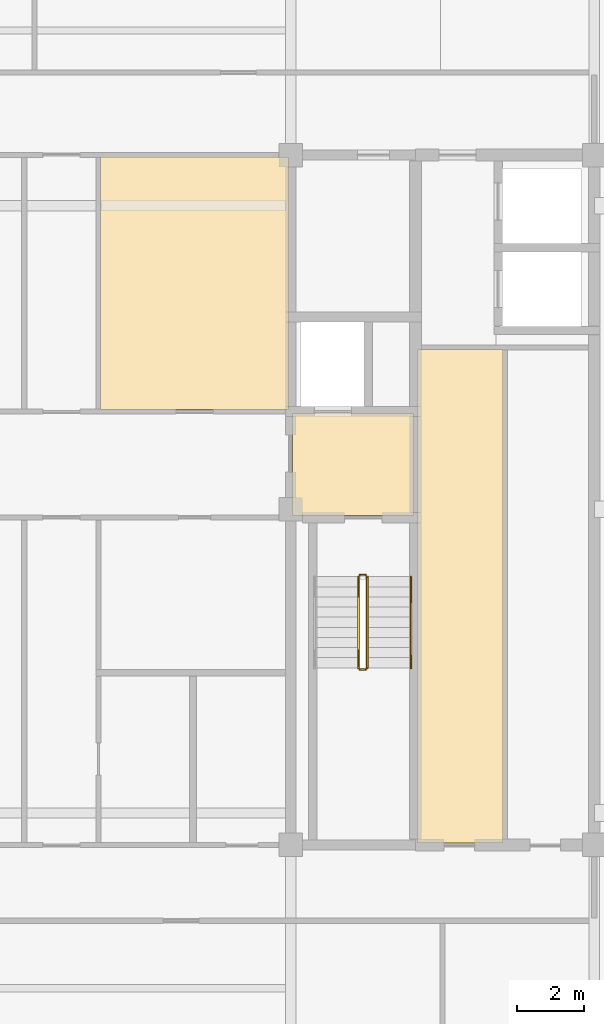
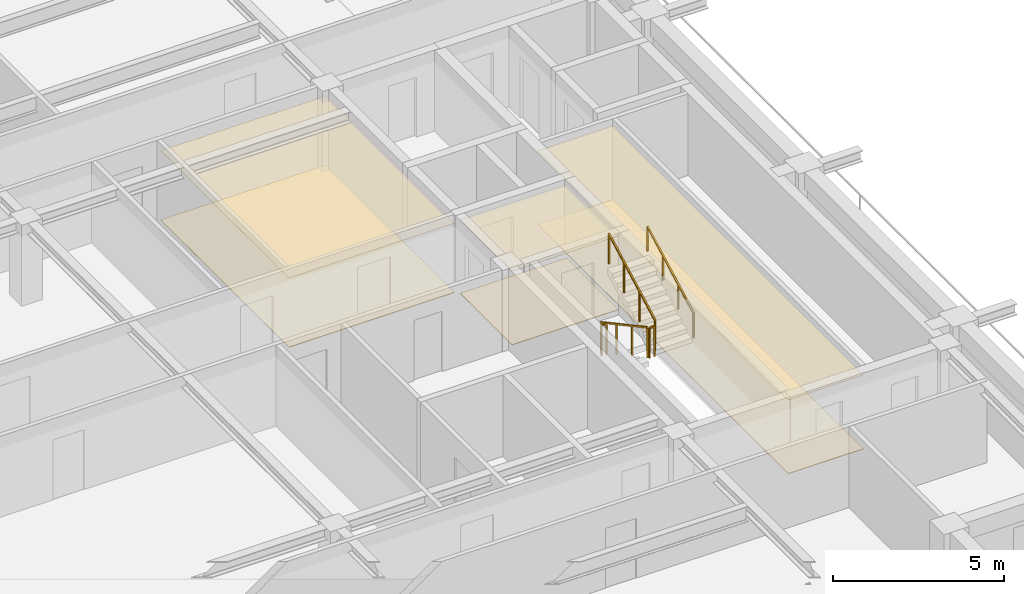
# One storey, part 9 of 10: 6 coverings, 5 railings.
"""IFC4 building model written with IfcOpenShell, lengths in metres."""

from ifc_helpers import new_model, si_unit, direction, frame, origin, origin_2d, place, context, subcontext, project, spatial, polyline, rectangle, outline, extrude, material, layer, layer_set, type_object, element, save


model = new_model("IFC4")

# Units and contexts
model_context = context("Model", 3, precision=1e-05, world=origin(), true_north=direction((0.0, 1.0)))
body_context = subcontext(model_context, "Body", "Model", "MODEL_VIEW")
ifc_project = project(units=[si_unit("LENGTHUNIT", "METRE"), si_unit("AREAUNIT", "SQUARE_METRE"), si_unit("VOLUMEUNIT", "CUBIC_METRE"), si_unit("PLANEANGLEUNIT", "RADIAN"), si_unit("MASSUNIT", "GRAM", prefix="KILO")], contexts=[model_context])

# Site, building, storey
site_placement = place(None, origin())
site = spatial("IfcSite", under=ifc_project, at=site_placement, CompositionType="ELEMENT")
building_placement = place(site_placement, origin())
building = spatial("IfcBuilding", under=site, at=building_placement, Name="Zulmaris Gate Convention Tower", CompositionType="ELEMENT")
storey_placement = place(building_placement, frame((0.0, 0.0, 267.35009765625)))
storey = spatial("IfcBuildingStorey", under=building, at=storey_placement, Name="L71", CompositionType="ELEMENT", Elevation=267.35009765625)

# Coverings
ifc_material_1 = material(Name="Mineral Fibre Acoustic Ceiling Tile")
ifc_layer_1 = layer(ifc_material_1, 0.02001953125, Name="Mineral Fibre Acoustic Ceiling Tile")
ifc_layer_set_1 = layer_set([ifc_layer_1], Name="Mineral Fibre Acoustic Ceiling Tile")
covering_type_1 = type_object("IfcCoveringType", Name="CLG-ACOUSTIC-600", PredefinedType="CEILING", material=ifc_layer_set_1)
covering_1_placement = place(storey_placement, frame((0.0, 0.0, 2.625)))
element("IfcCovering", 1, at=covering_1_placement, inside=storey, type_object=covering_type_1, Name="CLG-L71-R08", PredefinedType="CEILING", context=body_context, shape_type="SweptSolid", body=[
    extrude(outline(polyline([(11.06005859375, -0.18994140625), (14.639892578125, -0.18994140625), (14.639892578125, 2.840087890625), (11.06005859375, 2.840087890625), (11.06005859375, -0.18994140625)])), origin(), (0.0, 0.0, 1.0), 0.02001953125),
])
covering_2_placement = place(storey_placement, frame((0.0, 0.0, 2.625)))
element("IfcCovering", 2, at=covering_2_placement, inside=storey, type_object=covering_type_1, Name="CLG-L71-R24", PredefinedType="CEILING", context=body_context, shape_type="SweptSolid", body=[
    extrude(outline(polyline([(14.760009765625, -9.889892578125), (17.2900390625, -9.889892578125), (17.2900390625, 4.739990234375), (14.760009765625, 4.739990234375), (14.760009765625, -9.889892578125)])), origin(), (0.0, 0.0, 1.0), 0.02001953125),
])
covering_3_placement = place(storey_placement, frame((0.0, 0.0, 2.462890625)))
element("IfcCovering", 3, at=covering_3_placement, inside=storey, type_object=covering_type_1, Name="CLG-L71-R39", PredefinedType="CEILING", context=body_context, shape_type="SweptSolid", body=[
    extrude(outline(polyline([(5.360107421875, 2.9599609375), (10.93994140625, 2.9599609375), (10.93994140625, 10.43994140625), (5.360107421875, 10.43994140625), (5.360107421875, 2.9599609375)])), origin(), (0.0, 0.0, 1.0), 0.02001953125),
])
ifc_material_2 = material(Name="Woven Acoustic Wool Carpet Tile")
ifc_layer_2 = layer(ifc_material_2, 0.02001953125, Name="Woven Acoustic Wool Carpet Tile")
ifc_layer_set_2 = layer_set([ifc_layer_2], Name="Woven Acoustic Wool Carpet Tile")
covering_type_2 = type_object("IfcCoveringType", Name="FLR-CARPET-12", PredefinedType="FLOORING", material=ifc_layer_set_2)
covering_4_placement = place(storey_placement, origin())
element("IfcCovering", 4, at=covering_4_placement, inside=storey, type_object=covering_type_2, Name="FLR-L71-R08", PredefinedType="FLOORING", context=body_context, shape_type="SweptSolid", body=[
    extrude(outline(polyline([(11.06005859375, -0.18994140625), (14.639892578125, -0.18994140625), (14.639892578125, 2.840087890625), (11.06005859375, 2.840087890625), (11.06005859375, -0.18994140625)])), origin(), (0.0, 0.0, 1.0), 0.02001953125),
])
covering_5_placement = place(storey_placement, origin())
element("IfcCovering", 5, at=covering_5_placement, inside=storey, type_object=covering_type_2, Name="FLR-L71-R24", PredefinedType="FLOORING", context=body_context, shape_type="SweptSolid", body=[
    extrude(outline(polyline([(14.760009765625, -9.889892578125), (17.2900390625, -9.889892578125), (17.2900390625, 4.739990234375), (14.760009765625, 4.739990234375), (14.760009765625, -9.889892578125)])), origin(), (0.0, 0.0, 1.0), 0.02001953125),
])
covering_6_placement = place(storey_placement, origin())
element("IfcCovering", 6, at=covering_6_placement, inside=storey, type_object=covering_type_2, Name="FLR-L71-R39", PredefinedType="FLOORING", context=body_context, shape_type="SweptSolid", body=[
    extrude(outline(polyline([(5.360107421875, 2.9599609375), (10.93994140625, 2.9599609375), (10.93994140625, 10.43994140625), (5.360107421875, 10.43994140625), (5.360107421875, 2.9599609375)])), origin(), (0.0, 0.0, 1.0), 0.02001953125),
])

# Railings
ifc_material_3 = material(Name="Painted Galvanised Steel", Category="steel")
railing_type_1 = type_object("IfcRailingType", Name="RL-STG-1150", PredefinedType="GUARDRAIL", material=ifc_material_3)
railing_1_placement = place(storey_placement, frame((13.010009765625, -2.0, 0.16162109375)))
element("IfcRailing", 7, at=railing_1_placement, inside=storey, type_object=railing_type_1, Name="L71 ST-2 stair guard 1", PredefinedType="GUARDRAIL", context=body_context, shape_type="SweptSolid", body=[
    extrude(rectangle(XDim=0.048095703125, YDim=0.048095703125, at=origin_2d()), frame((0.0, 0.0, 1.076171875), z_axis=(0.0, -0.880532452117, 0.47398586558), x_axis=(1.0, 0.0, 0.0)), (0.0, 0.0, 1.0), 3.066162109375),
    extrude(rectangle(XDim=0.0419921875, YDim=0.0419921875, at=origin_2d()), origin(), (0.0, 0.0, 1.0), 1.052001953125),
    extrude(rectangle(XDim=0.0419921875, YDim=0.0419921875, at=origin_2d()), frame((0.0, -0.89990234375, 0.484375)), (0.0, 0.0, 1.0), 1.052001953125),
    extrude(rectangle(XDim=0.0419921875, YDim=0.0419921875, at=origin_2d()), frame((0.0, -1.800048828125, 0.968994140625)), (0.0, 0.0, 1.0), 1.052001953125),
    extrude(rectangle(XDim=0.0419921875, YDim=0.0419921875, at=origin_2d()), frame((0.0, -2.699951171875, 1.453369140625)), (0.0, 0.0, 1.0), 1.052001953125),
])
railing_2_placement = place(storey_placement, frame((13.06005859375, -4.75, 1.614990234375)))
element("IfcRailing", 8, at=railing_2_placement, inside=storey, type_object=railing_type_1, Name="L71 ST-2 stair guard 2", PredefinedType="GUARDRAIL", context=body_context, shape_type="SweptSolid", body=[
    extrude(rectangle(XDim=0.048095703125, YDim=0.048095703125, at=origin_2d()), frame((0.0, 0.0, 1.076171875), z_axis=(1.0, 0.0, 0.0), x_axis=(0.0, 1.0, 0.0)), (0.0, 0.0, 1.0), 0.159912109375),
    extrude(rectangle(XDim=0.0419921875, YDim=0.0419921875, at=origin_2d()), origin(), (0.0, 0.0, 1.0), 1.052001953125),
    extrude(rectangle(XDim=0.0419921875, YDim=0.0419921875, at=origin_2d()), frame((0.159912109375, 0.0, 0.0)), (0.0, 0.0, 1.0), 1.052001953125),
])
railing_3_placement = place(storey_placement, frame((13.27001953125, -4.699951171875, 1.776611328125)))
element("IfcRailing", 9, at=railing_3_placement, inside=storey, type_object=railing_type_1, Name="L71 ST-2 stair guard 3", PredefinedType="GUARDRAIL", context=body_context, shape_type="SweptSolid", body=[
    extrude(rectangle(XDim=0.048095703125, YDim=0.048095703125, at=origin_2d()), frame((0.0, 0.0, 1.076171875), z_axis=(0.0, 0.880532452117, 0.47398586558), x_axis=(-1.0, 0.0, 0.0)), (0.0, 0.0, 1.0), 3.066162109375),
    extrude(rectangle(XDim=0.0419921875, YDim=0.0419921875, at=origin_2d()), origin(), (0.0, 0.0, 1.0), 1.052001953125),
    extrude(rectangle(XDim=0.0419921875, YDim=0.0419921875, at=origin_2d()), frame((0.0, 0.89990234375, 0.484375)), (0.0, 0.0, 1.0), 1.052001953125),
    extrude(rectangle(XDim=0.0419921875, YDim=0.0419921875, at=origin_2d()), frame((0.0, 1.800048828125, 0.968994140625)), (0.0, 0.0, 1.0), 1.052001953125),
    extrude(rectangle(XDim=0.0419921875, YDim=0.0419921875, at=origin_2d()), frame((0.0, 2.699951171875, 1.453369140625)), (0.0, 0.0, 1.0), 1.052001953125),
])
railing_4_placement = place(storey_placement, frame((13.06005859375, -1.949951171875, 0.0)))
element("IfcRailing", 10, at=railing_4_placement, inside=storey, type_object=railing_type_1, Name="L71 ST-2 stair guard 4", PredefinedType="GUARDRAIL", context=body_context, shape_type="SweptSolid", body=[
    extrude(rectangle(XDim=0.048095703125, YDim=0.048095703125, at=origin_2d()), frame((0.0, 0.0, 1.076171875), z_axis=(1.0, 0.0, 0.0), x_axis=(0.0, 1.0, 0.0)), (0.0, 0.0, 1.0), 0.159912109375),
    extrude(rectangle(XDim=0.0419921875, YDim=0.0419921875, at=origin_2d()), origin(), (0.0, 0.0, 1.0), 1.052001953125),
    extrude(rectangle(XDim=0.0419921875, YDim=0.0419921875, at=origin_2d()), frame((0.159912109375, 0.0, 0.0)), (0.0, 0.0, 1.0), 1.052001953125),
])
ifc_material_4 = material(Name="Brushed Stainless Steel", Category="steel")
railing_type_2 = type_object("IfcRailingType", Name="RL-STH-900", PredefinedType="HANDRAIL", material=ifc_material_4)
railing_5_placement = place(storey_placement, frame((14.570068359375, -4.699951171875, 1.776611328125)))
element("IfcRailing", 11, at=railing_5_placement, inside=storey, type_object=railing_type_2, Name="L71 ST-2 stair handrail 2", PredefinedType="HANDRAIL", context=body_context, shape_type="SweptSolid", body=[
    extrude(rectangle(XDim=0.048095703125, YDim=0.048095703125, at=origin_2d()), frame((0.0, 0.0, 0.8759765625), z_axis=(0.0, 0.880532452117, 0.47398586558), x_axis=(-1.0, 0.0, 0.0)), (0.0, 0.0, 1.0), 3.066162109375),
    extrude(rectangle(XDim=0.0419921875, YDim=0.0419921875, at=origin_2d()), origin(), (0.0, 0.0, 1.0), 0.851806640625),
    extrude(rectangle(XDim=0.0419921875, YDim=0.0419921875, at=origin_2d()), frame((0.0, 0.89990234375, 0.484375)), (0.0, 0.0, 1.0), 0.851806640625),
    extrude(rectangle(XDim=0.0419921875, YDim=0.0419921875, at=origin_2d()), frame((0.0, 1.800048828125, 0.968994140625)), (0.0, 0.0, 1.0), 0.851806640625),
    extrude(rectangle(XDim=0.0419921875, YDim=0.0419921875, at=origin_2d()), frame((0.0, 2.699951171875, 1.453369140625)), (0.0, 0.0, 1.0), 0.851806640625),
])

save(model, "model.ifc")
